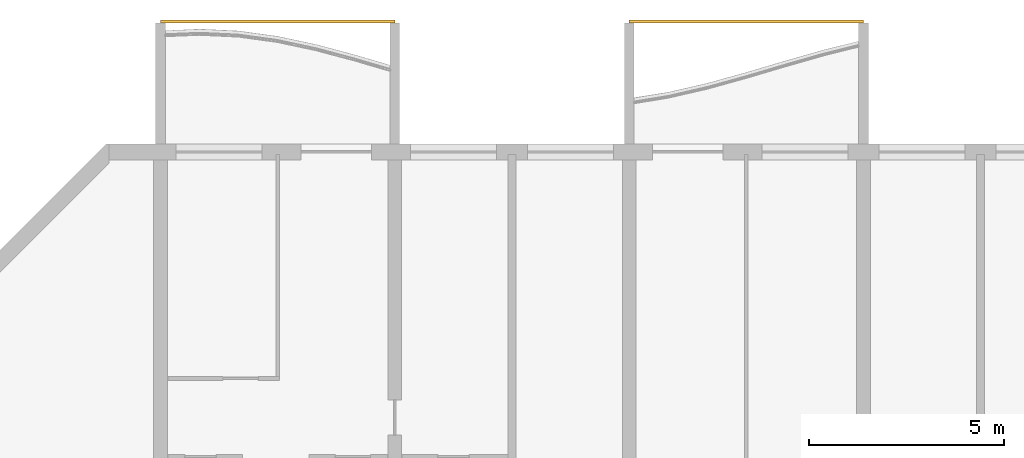
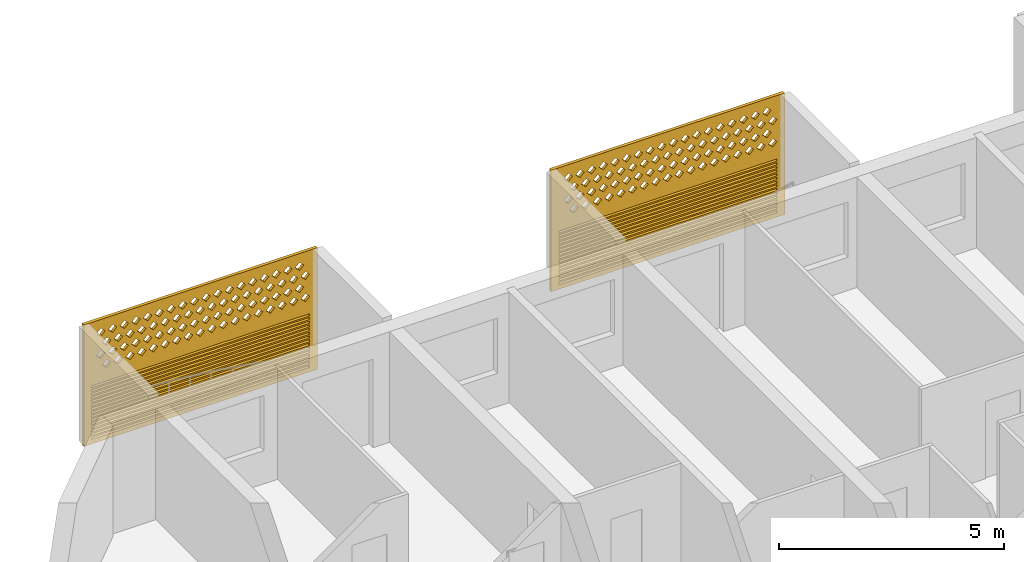
# One storey, part 18 of 24: 2 coverings.
"""IFC4 building model written with IfcOpenShell, lengths in metres."""

import ifcopenshell
import ifcopenshell.guid

model = None  # the IFC model being written
_history = None  # IfcOwnerHistory: only IFC2X3 demands one
_inside = {}  # id of a spatial element -> (the spatial element, [elements in it])
_under = {}  # id of a project, library or spatial element -> (it, [spatial elements below it])
_declared = {}  # id of a project -> (the project, [libraries it declares])
_typed = {}  # id of a type object -> (the type object, [elements of that type])
_made_of = {}  # id of a material, layer set ... -> (it, [elements and type objects made of it])


def new_model(schema):
    """Start an empty IFC model of exactly this schema.

    Asked for "IFC4X3", IfcOpenShell would pick the latest addendum, in which some entities
    have other attributes; the version numbers below select the first issue.
    IFC2X3 requires an IfcOwnerHistory on every rooted entity: one is made here for all.
    """
    global model, _history
    if schema == "IFC4X3":
        model = ifcopenshell.file(schema_version=(4, 3, 0, 0))
    else:
        model = ifcopenshell.file(schema=schema)
    _inside.clear()
    _under.clear()
    _declared.clear()
    _typed.clear()
    _made_of.clear()
    _history = None
    if model.schema == "IFC2X3":
        org = make("IfcOrganization", Name="unknown")
        user = make(
            "IfcPersonAndOrganization",
            ThePerson=make("IfcPerson", FamilyName="unknown"),
            TheOrganization=org,
        )
        app = make(
            "IfcApplication",
            ApplicationDeveloper=org,
            Version="unknown",
            ApplicationFullName="unknown",
            ApplicationIdentifier="unknown",
        )
        _history = make(
            "IfcOwnerHistory",
            OwningUser=user,
            OwningApplication=app,
            ChangeAction="ADDED",
            CreationDate=0,
        )
    return model


def make(cls, **values):
    """One entity of the class cls with the attributes given. An attribute that is None is left unset."""
    return model.create_entity(
        cls, **{name: value for name, value in values.items() if value is not None}
    )


def rooted(cls, **values):
    """An entity with a GlobalId (a new one), such as an element, a storey or a relation."""
    return make(cls, GlobalId=ifcopenshell.guid.new(), OwnerHistory=_history, **values)


def si_unit(unit_type, name, prefix=None):
    """IfcSIUnit, for example si_unit("LENGTHUNIT", "METRE", prefix="MILLI")."""
    return make("IfcSIUnit", UnitType=unit_type, Prefix=prefix, Name=name)


def assignment(units):
    """IfcUnitAssignment: the units of a project."""
    return None if units is None else make("IfcUnitAssignment", Units=units)


def point(xyz):
    """IfcCartesianPoint."""
    return None if xyz is None else make("IfcCartesianPoint", Coordinates=xyz)


def direction(xyz):
    """IfcDirection."""
    return None if xyz is None else make("IfcDirection", DirectionRatios=xyz)


def frame(location, z_axis=None, x_axis=None):
    """IfcAxis2Placement3D, a coordinate frame: its origin and axes. An axis left out is left unset."""
    return make(
        "IfcAxis2Placement3D",
        Location=point(location),
        Axis=direction(z_axis),
        RefDirection=direction(x_axis),
    )


def origin():
    """The frame at (0, 0, 0) with its axes left unset."""
    return frame((0.0, 0.0, 0.0))


def place(relative_to, where):
    """IfcLocalPlacement: puts the frame where relative to a parent placement (None: the world)."""
    return make(
        "IfcLocalPlacement", PlacementRelTo=relative_to, RelativePlacement=where
    )


def context(
    kind, dimensions, precision=None, world=None, true_north=None, identifier=None
):
    """IfcGeometricRepresentationContext, for example the 3D "Model" context."""
    return make(
        "IfcGeometricRepresentationContext",
        ContextIdentifier=identifier,
        ContextType=kind,
        CoordinateSpaceDimension=dimensions,
        Precision=precision,
        WorldCoordinateSystem=world,
        TrueNorth=true_north,
    )


def subcontext(parent, identifier, kind, view, scale=None):
    """IfcGeometricRepresentationSubContext, for example "Body" below "Model"."""
    return make(
        "IfcGeometricRepresentationSubContext",
        ContextIdentifier=identifier,
        ContextType=kind,
        ParentContext=parent,
        TargetScale=scale,
        TargetView=view,
    )


def project(units=None, contexts=None):
    """IfcProject with its units and contexts."""
    return rooted(
        "IfcProject",
        Name="project",
        RepresentationContexts=contexts,
        UnitsInContext=assignment(units),
    )


def spatial(cls, under=None, at=None, **own):
    """A site, building, storey or space (cls), placed at a placement, below another one or the project."""
    s = rooted(cls, ObjectPlacement=at, **own)
    if under is not None:
        _under.setdefault(under.id(), (under, []))[1].append(s)
    return s


def polyline(points):
    """IfcPolyline through the points."""
    return make("IfcPolyline", Points=[point(p) for p in points])


def outline(outer, holes=None, kind="AREA"):
    """IfcArbitraryClosedProfileDef: a profile drawn as a closed curve; with holes, ...WithVoids."""
    if holes is None:
        return make("IfcArbitraryClosedProfileDef", ProfileType=kind, OuterCurve=outer)
    return make(
        "IfcArbitraryProfileDefWithVoids",
        ProfileType=kind,
        OuterCurve=outer,
        InnerCurves=holes,
    )


def extrude(swept, where, along, depth):
    """IfcExtrudedAreaSolid: the profile swept, set in the frame where, extruded along a direction by depth."""
    return make(
        "IfcExtrudedAreaSolid",
        SweptArea=swept,
        Position=where,
        ExtrudedDirection=direction(along),
        Depth=depth,
    )


def shape(context_of_items, identifier, shape_type, items):
    """IfcShapeRepresentation: the items that make up one representation, for example the "Body"."""
    return make(
        "IfcShapeRepresentation",
        ContextOfItems=context_of_items,
        RepresentationIdentifier=identifier,
        RepresentationType=shape_type,
        Items=items,
    )


def source(mapping_origin, context_of_items, identifier, shape_type, items):
    """IfcRepresentationMap: a shape defined once, which mapped items show again and again."""
    return make(
        "IfcRepresentationMap",
        MappingOrigin=mapping_origin,
        MappedRepresentation=shape(context_of_items, identifier, shape_type, items),
    )


def transform(
    local_origin,
    x_axis=None,
    y_axis=None,
    z_axis=None,
    scale=None,
    scale2=None,
    scale3=None,
    uniform=True,
):
    """IfcCartesianTransformationOperator3D, or its non-uniform kind. x_axis, y_axis, z_axis: its Axis1, 2, 3."""
    if uniform:
        return make(
            "IfcCartesianTransformationOperator3D",
            Axis1=direction(x_axis),
            Axis2=direction(y_axis),
            LocalOrigin=point(local_origin),
            Scale=scale,
            Axis3=direction(z_axis),
        )
    return make(
        "IfcCartesianTransformationOperator3DnonUniform",
        Axis1=direction(x_axis),
        Axis2=direction(y_axis),
        LocalOrigin=point(local_origin),
        Scale=scale,
        Axis3=direction(z_axis),
        Scale2=scale2,
        Scale3=scale3,
    )


def mapped(mapping_source, mapping_target):
    """IfcMappedItem: shows the shape of a source again, moved by a transform."""
    return make(
        "IfcMappedItem", MappingSource=mapping_source, MappingTarget=mapping_target
    )


def material(Name=None, Category=None):
    """IfcMaterial."""
    return make("IfcMaterial", Name=Name, Category=Category)


def material_profile(
    of_material, cross_section, Name=None, Category=None, Priority=None
):
    """IfcMaterialProfile: a cross section and its material."""
    return make(
        "IfcMaterialProfile",
        Name=Name,
        Material=of_material,
        Profile=cross_section,
        Priority=Priority,
        Category=Category,
    )


def profile_set(profiles, Name=None, composite=None):
    """IfcMaterialProfileSet."""
    return make(
        "IfcMaterialProfileSet",
        Name=Name,
        MaterialProfiles=profiles,
        CompositeProfile=composite,
    )


def made_of(thing, what):
    """Note that an element or type object is made of a material, layer set ...; save() writes the relation."""
    if what is not None:
        _made_of.setdefault(what.id(), (what, []))[1].append(thing)
    return thing


def type_object(cls, material=None, **own):
    """A type object (cls), such as IfcWallType, which elements share."""
    return made_of(rooted(cls, **own), material)


def element(
    cls,
    number,
    at=None,
    inside=None,
    cuts=None,
    type_object=None,
    material=None,
    context=None,
    identifier="Body",
    shape_type=None,
    held_by="IfcProductDefinitionShape",
    body=None,
    shapes=None,
    **own,
):
    """One element of the class cls, such as IfcWall. Its Tag is "e" and its number.

    at: its placement. inside: the storey or other place that contains it. cuts: it is an
    opening in that element (IfcRelVoidsElement). A single representation is given by context,
    identifier, shape_type and body (its items); several are given by shapes. held_by: the class
    of the entity that holds the representations. save() writes the other relations.
    """
    e = rooted(cls, Tag="e%d" % number, ObjectPlacement=at, **own)
    if body is not None:
        shapes = [shape(context, identifier, shape_type, body)]
    if shapes is not None:
        e.Representation = make(held_by, Representations=shapes)
    if inside is not None:
        _inside.setdefault(inside.id(), (inside, []))[1].append(e)
    if cuts is not None:
        rooted(
            "IfcRelVoidsElement", RelatingBuildingElement=cuts, RelatedOpeningElement=e
        )
    if type_object is not None:
        _typed.setdefault(type_object.id(), (type_object, []))[1].append(e)
    return made_of(e, material)


def aggregate(whole, parts):
    """IfcRelAggregates: a whole, such as a stair, and the parts it consists of."""
    return rooted("IfcRelAggregates", RelatingObject=whole, RelatedObjects=parts)


def save(model, path):
    """Write the relations noted so far, then the file.

    IfcRelAggregates (storeys below a building ...), IfcRelContainedInSpatialStructure (elements
    in a storey), IfcRelDefinesByType, IfcRelAssociatesMaterial and IfcRelDeclares: one each for
    every whole, place, type object, material and project.
    """
    for whole, parts in _under.values():
        aggregate(whole, parts)
    for where, things in _inside.values():
        rooted(
            "IfcRelContainedInSpatialStructure",
            RelatedElements=things,
            RelatingStructure=where,
        )
    for kind, things in _typed.values():
        rooted("IfcRelDefinesByType", RelatedObjects=things, RelatingType=kind)
    for what, things in _made_of.values():
        rooted("IfcRelAssociatesMaterial", RelatedObjects=things, RelatingMaterial=what)
    for by, libraries in _declared.values():
        rooted("IfcRelDeclares", RelatingContext=by, RelatedDefinitions=libraries)
    model.write(path)


model = new_model("IFC4")

# Units and contexts
model_context = context("Model", 3, precision=1e-05, world=origin(), true_north=direction((0.0, 1.0)))
body_context = subcontext(model_context, "Body", "Model", "MODEL_VIEW")
ifc_project = project(units=[si_unit("LENGTHUNIT", "METRE"), si_unit("AREAUNIT", "SQUARE_METRE"), si_unit("VOLUMEUNIT", "CUBIC_METRE"), si_unit("PLANEANGLEUNIT", "RADIAN"), si_unit("MASSUNIT", "GRAM", prefix="KILO")], contexts=[model_context])

# Site, building, storey
site_placement = place(None, origin())
site = spatial("IfcSite", under=ifc_project, at=site_placement, CompositionType="ELEMENT")
building_placement = place(site_placement, origin())
building = spatial("IfcBuilding", under=site, at=building_placement, Name="Poui Terraces", CompositionType="ELEMENT")
storey_placement = place(building_placement, frame((0.0, 0.0, 102.60009765625)))
storey = spatial("IfcBuildingStorey", under=building, at=storey_placement, Name="L28", CompositionType="ELEMENT", Elevation=102.60009765625)

# Coverings
ifc_material = material(Name="Terracotta screen", Category="masonry")
ifc_material_profile = material_profile(ifc_material, outline(polyline([(-3.0, -1.64990234375), (3.0, -1.64990234375), (3.0, 1.64990234375), (-3.0, 1.64990234375), (-3.0, -1.64990234375)]), holes=[polyline([(-2.800048828125, 0.39990234375), (-2.68994140625, 0.2900390625), (-2.580078125, 0.39990234375), (-2.68994140625, 0.510009765625), (-2.800048828125, 0.39990234375)]), polyline([(-2.5, 0.39990234375), (-2.389892578125, 0.2900390625), (-2.280029296875, 0.39990234375), (-2.389892578125, 0.510009765625), (-2.5, 0.39990234375)]), polyline([(-2.199951171875, 0.39990234375), (-2.090087890625, 0.2900390625), (-1.97998046875, 0.39990234375), (-2.090087890625, 0.510009765625), (-2.199951171875, 0.39990234375)]), polyline([(-1.89990234375, 0.39990234375), (-1.7900390625, 0.2900390625), (-1.679931640625, 0.39990234375), (-1.7900390625, 0.510009765625), (-1.89990234375, 0.39990234375)]), polyline([(-1.60009765625, 0.39990234375), (-1.489990234375, 0.2900390625), (-1.3798828125, 0.39990234375), (-1.489990234375, 0.510009765625), (-1.60009765625, 0.39990234375)]), polyline([(-1.300048828125, 0.39990234375), (-1.18994140625, 0.2900390625), (-1.080078125, 0.39990234375), (-1.18994140625, 0.510009765625), (-1.300048828125, 0.39990234375)]), polyline([(-1.0, 0.39990234375), (-0.889892578125, 0.2900390625), (-0.780029296875, 0.39990234375), (-0.889892578125, 0.510009765625), (-1.0, 0.39990234375)]), polyline([(-0.699951171875, 0.39990234375), (-0.590087890625, 0.2900390625), (-0.47998046875, 0.39990234375), (-0.590087890625, 0.510009765625), (-0.699951171875, 0.39990234375)]), polyline([(-0.39990234375, 0.39990234375), (-0.2900390625, 0.2900390625), (-0.179931640625, 0.39990234375), (-0.2900390625, 0.510009765625), (-0.39990234375, 0.39990234375)]), polyline([(-0.10009765625, 0.39990234375), (0.010009765625, 0.2900390625), (0.1201171875, 0.39990234375), (0.010009765625, 0.510009765625), (-0.10009765625, 0.39990234375)]), polyline([(0.199951171875, 0.39990234375), (0.31005859375, 0.2900390625), (0.419921875, 0.39990234375), (0.31005859375, 0.510009765625), (0.199951171875, 0.39990234375)]), polyline([(0.5, 0.39990234375), (0.610107421875, 0.2900390625), (0.719970703125, 0.39990234375), (0.610107421875, 0.510009765625), (0.5, 0.39990234375)]), polyline([(0.800048828125, 0.39990234375), (0.909912109375, 0.2900390625), (1.02001953125, 0.39990234375), (0.909912109375, 0.510009765625), (0.800048828125, 0.39990234375)]), polyline([(1.10009765625, 0.39990234375), (1.2099609375, 0.2900390625), (1.320068359375, 0.39990234375), (1.2099609375, 0.510009765625), (1.10009765625, 0.39990234375)]), polyline([(1.39990234375, 0.39990234375), (1.510009765625, 0.2900390625), (1.6201171875, 0.39990234375), (1.510009765625, 0.510009765625), (1.39990234375, 0.39990234375)]), polyline([(1.699951171875, 0.39990234375), (1.81005859375, 0.2900390625), (1.919921875, 0.39990234375), (1.81005859375, 0.510009765625), (1.699951171875, 0.39990234375)]), polyline([(2.0, 0.39990234375), (2.110107421875, 0.2900390625), (2.219970703125, 0.39990234375), (2.110107421875, 0.510009765625), (2.0, 0.39990234375)]), polyline([(2.300048828125, 0.39990234375), (2.409912109375, 0.2900390625), (2.52001953125, 0.39990234375), (2.409912109375, 0.510009765625), (2.300048828125, 0.39990234375)]), polyline([(-2.64990234375, 0.699951171875), (-2.5400390625, 0.590087890625), (-2.429931640625, 0.699951171875), (-2.5400390625, 0.81005859375), (-2.64990234375, 0.699951171875)]), polyline([(-2.35009765625, 0.699951171875), (-2.239990234375, 0.590087890625), (-2.1298828125, 0.699951171875), (-2.239990234375, 0.81005859375), (-2.35009765625, 0.699951171875)]), polyline([(-2.050048828125, 0.699951171875), (-1.93994140625, 0.590087890625), (-1.830078125, 0.699951171875), (-1.93994140625, 0.81005859375), (-2.050048828125, 0.699951171875)]), polyline([(-1.75, 0.699951171875), (-1.639892578125, 0.590087890625), (-1.530029296875, 0.699951171875), (-1.639892578125, 0.81005859375), (-1.75, 0.699951171875)]), polyline([(-1.449951171875, 0.699951171875), (-1.340087890625, 0.590087890625), (-1.22998046875, 0.699951171875), (-1.340087890625, 0.81005859375), (-1.449951171875, 0.699951171875)]), polyline([(-1.14990234375, 0.699951171875), (-1.0400390625, 0.590087890625), (-0.929931640625, 0.699951171875), (-1.0400390625, 0.81005859375), (-1.14990234375, 0.699951171875)]), polyline([(-0.85009765625, 0.699951171875), (-0.739990234375, 0.590087890625), (-0.6298828125, 0.699951171875), (-0.739990234375, 0.81005859375), (-0.85009765625, 0.699951171875)]), polyline([(-0.550048828125, 0.699951171875), (-0.43994140625, 0.590087890625), (-0.330078125, 0.699951171875), (-0.43994140625, 0.81005859375), (-0.550048828125, 0.699951171875)]), polyline([(-0.25, 0.699951171875), (-0.139892578125, 0.590087890625), (-0.030029296875, 0.699951171875), (-0.139892578125, 0.81005859375), (-0.25, 0.699951171875)]), polyline([(0.050048828125, 0.699951171875), (0.159912109375, 0.590087890625), (0.27001953125, 0.699951171875), (0.159912109375, 0.81005859375), (0.050048828125, 0.699951171875)]), polyline([(0.35009765625, 0.699951171875), (0.4599609375, 0.590087890625), (0.570068359375, 0.699951171875), (0.4599609375, 0.81005859375), (0.35009765625, 0.699951171875)]), polyline([(0.64990234375, 0.699951171875), (0.760009765625, 0.590087890625), (0.8701171875, 0.699951171875), (0.760009765625, 0.81005859375), (0.64990234375, 0.699951171875)]), polyline([(0.949951171875, 0.699951171875), (1.06005859375, 0.590087890625), (1.169921875, 0.699951171875), (1.06005859375, 0.81005859375), (0.949951171875, 0.699951171875)]), polyline([(1.25, 0.699951171875), (1.360107421875, 0.590087890625), (1.469970703125, 0.699951171875), (1.360107421875, 0.81005859375), (1.25, 0.699951171875)]), polyline([(1.550048828125, 0.699951171875), (1.659912109375, 0.590087890625), (1.77001953125, 0.699951171875), (1.659912109375, 0.81005859375), (1.550048828125, 0.699951171875)]), polyline([(1.85009765625, 0.699951171875), (1.9599609375, 0.590087890625), (2.070068359375, 0.699951171875), (1.9599609375, 0.81005859375), (1.85009765625, 0.699951171875)]), polyline([(2.14990234375, 0.699951171875), (2.260009765625, 0.590087890625), (2.3701171875, 0.699951171875), (2.260009765625, 0.81005859375), (2.14990234375, 0.699951171875)]), polyline([(2.449951171875, 0.699951171875), (2.56005859375, 0.590087890625), (2.669921875, 0.699951171875), (2.56005859375, 0.81005859375), (2.449951171875, 0.699951171875)]), polyline([(-2.800048828125, 1.0), (-2.68994140625, 0.889892578125), (-2.580078125, 1.0), (-2.68994140625, 1.110107421875), (-2.800048828125, 1.0)]), polyline([(-2.5, 1.0), (-2.389892578125, 0.889892578125), (-2.280029296875, 1.0), (-2.389892578125, 1.110107421875), (-2.5, 1.0)]), polyline([(-2.199951171875, 1.0), (-2.090087890625, 0.889892578125), (-1.97998046875, 1.0), (-2.090087890625, 1.110107421875), (-2.199951171875, 1.0)]), polyline([(-1.89990234375, 1.0), (-1.7900390625, 0.889892578125), (-1.679931640625, 1.0), (-1.7900390625, 1.110107421875), (-1.89990234375, 1.0)]), polyline([(-1.60009765625, 1.0), (-1.489990234375, 0.889892578125), (-1.3798828125, 1.0), (-1.489990234375, 1.110107421875), (-1.60009765625, 1.0)]), polyline([(-1.300048828125, 1.0), (-1.18994140625, 0.889892578125), (-1.080078125, 1.0), (-1.18994140625, 1.110107421875), (-1.300048828125, 1.0)]), polyline([(-1.0, 1.0), (-0.889892578125, 0.889892578125), (-0.780029296875, 1.0), (-0.889892578125, 1.110107421875), (-1.0, 1.0)]), polyline([(-0.699951171875, 1.0), (-0.590087890625, 0.889892578125), (-0.47998046875, 1.0), (-0.590087890625, 1.110107421875), (-0.699951171875, 1.0)]), polyline([(-0.39990234375, 1.0), (-0.2900390625, 0.889892578125), (-0.179931640625, 1.0), (-0.2900390625, 1.110107421875), (-0.39990234375, 1.0)]), polyline([(-0.10009765625, 1.0), (0.010009765625, 0.889892578125), (0.1201171875, 1.0), (0.010009765625, 1.110107421875), (-0.10009765625, 1.0)]), polyline([(0.199951171875, 1.0), (0.31005859375, 0.889892578125), (0.419921875, 1.0), (0.31005859375, 1.110107421875), (0.199951171875, 1.0)]), polyline([(0.5, 1.0), (0.610107421875, 0.889892578125), (0.719970703125, 1.0), (0.610107421875, 1.110107421875), (0.5, 1.0)]), polyline([(0.800048828125, 1.0), (0.909912109375, 0.889892578125), (1.02001953125, 1.0), (0.909912109375, 1.110107421875), (0.800048828125, 1.0)]), polyline([(1.10009765625, 1.0), (1.2099609375, 0.889892578125), (1.320068359375, 1.0), (1.2099609375, 1.110107421875), (1.10009765625, 1.0)]), polyline([(1.39990234375, 1.0), (1.510009765625, 0.889892578125), (1.6201171875, 1.0), (1.510009765625, 1.110107421875), (1.39990234375, 1.0)]), polyline([(1.699951171875, 1.0), (1.81005859375, 0.889892578125), (1.919921875, 1.0), (1.81005859375, 1.110107421875), (1.699951171875, 1.0)]), polyline([(2.0, 1.0), (2.110107421875, 0.889892578125), (2.219970703125, 1.0), (2.110107421875, 1.110107421875), (2.0, 1.0)]), polyline([(2.300048828125, 1.0), (2.409912109375, 0.889892578125), (2.52001953125, 1.0), (2.409912109375, 1.110107421875), (2.300048828125, 1.0)]), polyline([(-2.64990234375, 1.300048828125), (-2.5400390625, 1.18994140625), (-2.429931640625, 1.300048828125), (-2.5400390625, 1.409912109375), (-2.64990234375, 1.300048828125)]), polyline([(-2.35009765625, 1.300048828125), (-2.239990234375, 1.18994140625), (-2.1298828125, 1.300048828125), (-2.239990234375, 1.409912109375), (-2.35009765625, 1.300048828125)]), polyline([(-2.050048828125, 1.300048828125), (-1.93994140625, 1.18994140625), (-1.830078125, 1.300048828125), (-1.93994140625, 1.409912109375), (-2.050048828125, 1.300048828125)]), polyline([(-1.75, 1.300048828125), (-1.639892578125, 1.18994140625), (-1.530029296875, 1.300048828125), (-1.639892578125, 1.409912109375), (-1.75, 1.300048828125)]), polyline([(-1.449951171875, 1.300048828125), (-1.340087890625, 1.18994140625), (-1.22998046875, 1.300048828125), (-1.340087890625, 1.409912109375), (-1.449951171875, 1.300048828125)]), polyline([(-1.14990234375, 1.300048828125), (-1.0400390625, 1.18994140625), (-0.929931640625, 1.300048828125), (-1.0400390625, 1.409912109375), (-1.14990234375, 1.300048828125)]), polyline([(-0.85009765625, 1.300048828125), (-0.739990234375, 1.18994140625), (-0.6298828125, 1.300048828125), (-0.739990234375, 1.409912109375), (-0.85009765625, 1.300048828125)]), polyline([(-0.550048828125, 1.300048828125), (-0.43994140625, 1.18994140625), (-0.330078125, 1.300048828125), (-0.43994140625, 1.409912109375), (-0.550048828125, 1.300048828125)]), polyline([(-0.25, 1.300048828125), (-0.139892578125, 1.18994140625), (-0.030029296875, 1.300048828125), (-0.139892578125, 1.409912109375), (-0.25, 1.300048828125)]), polyline([(0.050048828125, 1.300048828125), (0.159912109375, 1.18994140625), (0.27001953125, 1.300048828125), (0.159912109375, 1.409912109375), (0.050048828125, 1.300048828125)]), polyline([(0.35009765625, 1.300048828125), (0.4599609375, 1.18994140625), (0.570068359375, 1.300048828125), (0.4599609375, 1.409912109375), (0.35009765625, 1.300048828125)]), polyline([(0.64990234375, 1.300048828125), (0.760009765625, 1.18994140625), (0.8701171875, 1.300048828125), (0.760009765625, 1.409912109375), (0.64990234375, 1.300048828125)]), polyline([(0.949951171875, 1.300048828125), (1.06005859375, 1.18994140625), (1.169921875, 1.300048828125), (1.06005859375, 1.409912109375), (0.949951171875, 1.300048828125)]), polyline([(1.25, 1.300048828125), (1.360107421875, 1.18994140625), (1.469970703125, 1.300048828125), (1.360107421875, 1.409912109375), (1.25, 1.300048828125)]), polyline([(1.550048828125, 1.300048828125), (1.659912109375, 1.18994140625), (1.77001953125, 1.300048828125), (1.659912109375, 1.409912109375), (1.550048828125, 1.300048828125)]), polyline([(1.85009765625, 1.300048828125), (1.9599609375, 1.18994140625), (2.070068359375, 1.300048828125), (1.9599609375, 1.409912109375), (1.85009765625, 1.300048828125)]), polyline([(2.14990234375, 1.300048828125), (2.260009765625, 1.18994140625), (2.3701171875, 1.300048828125), (2.260009765625, 1.409912109375), (2.14990234375, 1.300048828125)]), polyline([(2.449951171875, 1.300048828125), (2.56005859375, 1.18994140625), (2.669921875, 1.300048828125), (2.56005859375, 1.409912109375), (2.449951171875, 1.300048828125)]), polyline([(-2.800048828125, -1.530029296875), (2.800048828125, -1.530029296875), (2.800048828125, -1.469970703125), (-2.800048828125, -1.469970703125), (-2.800048828125, -1.530029296875)]), polyline([(-2.800048828125, -1.429931640625), (2.800048828125, -1.429931640625), (2.800048828125, -1.3701171875), (-2.800048828125, -1.3701171875), (-2.800048828125, -1.429931640625)]), polyline([(-2.800048828125, -1.330078125), (2.800048828125, -1.330078125), (2.800048828125, -1.27001953125), (-2.800048828125, -1.27001953125), (-2.800048828125, -1.330078125)]), polyline([(-2.800048828125, -1.22998046875), (2.800048828125, -1.22998046875), (2.800048828125, -1.169921875), (-2.800048828125, -1.169921875), (-2.800048828125, -1.22998046875)]), polyline([(-2.800048828125, -1.1298828125), (2.800048828125, -1.1298828125), (2.800048828125, -1.070068359375), (-2.800048828125, -1.070068359375), (-2.800048828125, -1.1298828125)]), polyline([(-2.800048828125, -1.030029296875), (2.800048828125, -1.030029296875), (2.800048828125, -0.969970703125), (-2.800048828125, -0.969970703125), (-2.800048828125, -1.030029296875)]), polyline([(-2.800048828125, -0.929931640625), (2.800048828125, -0.929931640625), (2.800048828125, -0.8701171875), (-2.800048828125, -0.8701171875), (-2.800048828125, -0.929931640625)]), polyline([(-2.800048828125, -0.830078125), (2.800048828125, -0.830078125), (2.800048828125, -0.77001953125), (-2.800048828125, -0.77001953125), (-2.800048828125, -0.830078125)]), polyline([(-2.800048828125, -0.72998046875), (2.800048828125, -0.72998046875), (2.800048828125, -0.669921875), (-2.800048828125, -0.669921875), (-2.800048828125, -0.72998046875)]), polyline([(-2.800048828125, -0.6298828125), (2.800048828125, -0.6298828125), (2.800048828125, -0.570068359375), (-2.800048828125, -0.570068359375), (-2.800048828125, -0.6298828125)]), polyline([(-2.800048828125, -0.530029296875), (2.800048828125, -0.530029296875), (2.800048828125, -0.469970703125), (-2.800048828125, -0.469970703125), (-2.800048828125, -0.530029296875)]), polyline([(-2.800048828125, -0.429931640625), (2.800048828125, -0.429931640625), (2.800048828125, -0.3701171875), (-2.800048828125, -0.3701171875), (-2.800048828125, -0.429931640625)]), polyline([(-2.800048828125, -0.330078125), (2.800048828125, -0.330078125), (2.800048828125, -0.27001953125), (-2.800048828125, -0.27001953125), (-2.800048828125, -0.330078125)]), polyline([(-2.800048828125, -0.22998046875), (2.800048828125, -0.22998046875), (2.800048828125, -0.169921875), (-2.800048828125, -0.169921875), (-2.800048828125, -0.22998046875)]), polyline([(-2.800048828125, -0.1298828125), (2.800048828125, -0.1298828125), (2.800048828125, -0.070068359375), (-2.800048828125, -0.070068359375), (-2.800048828125, -0.1298828125)])]), Name="TERRACOTTA SCREEN AND JALOUSIE LOUVRE 6000X3300")
ifc_profile_set = profile_set([ifc_material_profile], Name="Terracotta screen")
covering_type = type_object("IfcCoveringType", Name="TERRACOTTA SCREEN AND JALOUSIE LOUVRE 6000X3300", PredefinedType="CLADDING", material=ifc_profile_set)
shared_shape = source(origin(), body_context, "Body", "SweptSolid", [
    extrude(outline(polyline([(-3.0, -1.64990234375), (3.0, -1.64990234375), (3.0, 1.64990234375), (-3.0, 1.64990234375), (-3.0, -1.64990234375)]), holes=[polyline([(-2.800048828125, 0.39990234375), (-2.68994140625, 0.2900390625), (-2.580078125, 0.39990234375), (-2.68994140625, 0.510009765625), (-2.800048828125, 0.39990234375)]), polyline([(-2.5, 0.39990234375), (-2.389892578125, 0.2900390625), (-2.280029296875, 0.39990234375), (-2.389892578125, 0.510009765625), (-2.5, 0.39990234375)]), polyline([(-2.199951171875, 0.39990234375), (-2.090087890625, 0.2900390625), (-1.97998046875, 0.39990234375), (-2.090087890625, 0.510009765625), (-2.199951171875, 0.39990234375)]), polyline([(-1.89990234375, 0.39990234375), (-1.7900390625, 0.2900390625), (-1.679931640625, 0.39990234375), (-1.7900390625, 0.510009765625), (-1.89990234375, 0.39990234375)]), polyline([(-1.60009765625, 0.39990234375), (-1.489990234375, 0.2900390625), (-1.3798828125, 0.39990234375), (-1.489990234375, 0.510009765625), (-1.60009765625, 0.39990234375)]), polyline([(-1.300048828125, 0.39990234375), (-1.18994140625, 0.2900390625), (-1.080078125, 0.39990234375), (-1.18994140625, 0.510009765625), (-1.300048828125, 0.39990234375)]), polyline([(-1.0, 0.39990234375), (-0.889892578125, 0.2900390625), (-0.780029296875, 0.39990234375), (-0.889892578125, 0.510009765625), (-1.0, 0.39990234375)]), polyline([(-0.699951171875, 0.39990234375), (-0.590087890625, 0.2900390625), (-0.47998046875, 0.39990234375), (-0.590087890625, 0.510009765625), (-0.699951171875, 0.39990234375)]), polyline([(-0.39990234375, 0.39990234375), (-0.2900390625, 0.2900390625), (-0.179931640625, 0.39990234375), (-0.2900390625, 0.510009765625), (-0.39990234375, 0.39990234375)]), polyline([(-0.10009765625, 0.39990234375), (0.010009765625, 0.2900390625), (0.1201171875, 0.39990234375), (0.010009765625, 0.510009765625), (-0.10009765625, 0.39990234375)]), polyline([(0.199951171875, 0.39990234375), (0.31005859375, 0.2900390625), (0.419921875, 0.39990234375), (0.31005859375, 0.510009765625), (0.199951171875, 0.39990234375)]), polyline([(0.5, 0.39990234375), (0.610107421875, 0.2900390625), (0.719970703125, 0.39990234375), (0.610107421875, 0.510009765625), (0.5, 0.39990234375)]), polyline([(0.800048828125, 0.39990234375), (0.909912109375, 0.2900390625), (1.02001953125, 0.39990234375), (0.909912109375, 0.510009765625), (0.800048828125, 0.39990234375)]), polyline([(1.10009765625, 0.39990234375), (1.2099609375, 0.2900390625), (1.320068359375, 0.39990234375), (1.2099609375, 0.510009765625), (1.10009765625, 0.39990234375)]), polyline([(1.39990234375, 0.39990234375), (1.510009765625, 0.2900390625), (1.6201171875, 0.39990234375), (1.510009765625, 0.510009765625), (1.39990234375, 0.39990234375)]), polyline([(1.699951171875, 0.39990234375), (1.81005859375, 0.2900390625), (1.919921875, 0.39990234375), (1.81005859375, 0.510009765625), (1.699951171875, 0.39990234375)]), polyline([(2.0, 0.39990234375), (2.110107421875, 0.2900390625), (2.219970703125, 0.39990234375), (2.110107421875, 0.510009765625), (2.0, 0.39990234375)]), polyline([(2.300048828125, 0.39990234375), (2.409912109375, 0.2900390625), (2.52001953125, 0.39990234375), (2.409912109375, 0.510009765625), (2.300048828125, 0.39990234375)]), polyline([(-2.64990234375, 0.699951171875), (-2.5400390625, 0.590087890625), (-2.429931640625, 0.699951171875), (-2.5400390625, 0.81005859375), (-2.64990234375, 0.699951171875)]), polyline([(-2.35009765625, 0.699951171875), (-2.239990234375, 0.590087890625), (-2.1298828125, 0.699951171875), (-2.239990234375, 0.81005859375), (-2.35009765625, 0.699951171875)]), polyline([(-2.050048828125, 0.699951171875), (-1.93994140625, 0.590087890625), (-1.830078125, 0.699951171875), (-1.93994140625, 0.81005859375), (-2.050048828125, 0.699951171875)]), polyline([(-1.75, 0.699951171875), (-1.639892578125, 0.590087890625), (-1.530029296875, 0.699951171875), (-1.639892578125, 0.81005859375), (-1.75, 0.699951171875)]), polyline([(-1.449951171875, 0.699951171875), (-1.340087890625, 0.590087890625), (-1.22998046875, 0.699951171875), (-1.340087890625, 0.81005859375), (-1.449951171875, 0.699951171875)]), polyline([(-1.14990234375, 0.699951171875), (-1.0400390625, 0.590087890625), (-0.929931640625, 0.699951171875), (-1.0400390625, 0.81005859375), (-1.14990234375, 0.699951171875)]), polyline([(-0.85009765625, 0.699951171875), (-0.739990234375, 0.590087890625), (-0.6298828125, 0.699951171875), (-0.739990234375, 0.81005859375), (-0.85009765625, 0.699951171875)]), polyline([(-0.550048828125, 0.699951171875), (-0.43994140625, 0.590087890625), (-0.330078125, 0.699951171875), (-0.43994140625, 0.81005859375), (-0.550048828125, 0.699951171875)]), polyline([(-0.25, 0.699951171875), (-0.139892578125, 0.590087890625), (-0.030029296875, 0.699951171875), (-0.139892578125, 0.81005859375), (-0.25, 0.699951171875)]), polyline([(0.050048828125, 0.699951171875), (0.159912109375, 0.590087890625), (0.27001953125, 0.699951171875), (0.159912109375, 0.81005859375), (0.050048828125, 0.699951171875)]), polyline([(0.35009765625, 0.699951171875), (0.4599609375, 0.590087890625), (0.570068359375, 0.699951171875), (0.4599609375, 0.81005859375), (0.35009765625, 0.699951171875)]), polyline([(0.64990234375, 0.699951171875), (0.760009765625, 0.590087890625), (0.8701171875, 0.699951171875), (0.760009765625, 0.81005859375), (0.64990234375, 0.699951171875)]), polyline([(0.949951171875, 0.699951171875), (1.06005859375, 0.590087890625), (1.169921875, 0.699951171875), (1.06005859375, 0.81005859375), (0.949951171875, 0.699951171875)]), polyline([(1.25, 0.699951171875), (1.360107421875, 0.590087890625), (1.469970703125, 0.699951171875), (1.360107421875, 0.81005859375), (1.25, 0.699951171875)]), polyline([(1.550048828125, 0.699951171875), (1.659912109375, 0.590087890625), (1.77001953125, 0.699951171875), (1.659912109375, 0.81005859375), (1.550048828125, 0.699951171875)]), polyline([(1.85009765625, 0.699951171875), (1.9599609375, 0.590087890625), (2.070068359375, 0.699951171875), (1.9599609375, 0.81005859375), (1.85009765625, 0.699951171875)]), polyline([(2.14990234375, 0.699951171875), (2.260009765625, 0.590087890625), (2.3701171875, 0.699951171875), (2.260009765625, 0.81005859375), (2.14990234375, 0.699951171875)]), polyline([(2.449951171875, 0.699951171875), (2.56005859375, 0.590087890625), (2.669921875, 0.699951171875), (2.56005859375, 0.81005859375), (2.449951171875, 0.699951171875)]), polyline([(-2.800048828125, 1.0), (-2.68994140625, 0.889892578125), (-2.580078125, 1.0), (-2.68994140625, 1.110107421875), (-2.800048828125, 1.0)]), polyline([(-2.5, 1.0), (-2.389892578125, 0.889892578125), (-2.280029296875, 1.0), (-2.389892578125, 1.110107421875), (-2.5, 1.0)]), polyline([(-2.199951171875, 1.0), (-2.090087890625, 0.889892578125), (-1.97998046875, 1.0), (-2.090087890625, 1.110107421875), (-2.199951171875, 1.0)]), polyline([(-1.89990234375, 1.0), (-1.7900390625, 0.889892578125), (-1.679931640625, 1.0), (-1.7900390625, 1.110107421875), (-1.89990234375, 1.0)]), polyline([(-1.60009765625, 1.0), (-1.489990234375, 0.889892578125), (-1.3798828125, 1.0), (-1.489990234375, 1.110107421875), (-1.60009765625, 1.0)]), polyline([(-1.300048828125, 1.0), (-1.18994140625, 0.889892578125), (-1.080078125, 1.0), (-1.18994140625, 1.110107421875), (-1.300048828125, 1.0)]), polyline([(-1.0, 1.0), (-0.889892578125, 0.889892578125), (-0.780029296875, 1.0), (-0.889892578125, 1.110107421875), (-1.0, 1.0)]), polyline([(-0.699951171875, 1.0), (-0.590087890625, 0.889892578125), (-0.47998046875, 1.0), (-0.590087890625, 1.110107421875), (-0.699951171875, 1.0)]), polyline([(-0.39990234375, 1.0), (-0.2900390625, 0.889892578125), (-0.179931640625, 1.0), (-0.2900390625, 1.110107421875), (-0.39990234375, 1.0)]), polyline([(-0.10009765625, 1.0), (0.010009765625, 0.889892578125), (0.1201171875, 1.0), (0.010009765625, 1.110107421875), (-0.10009765625, 1.0)]), polyline([(0.199951171875, 1.0), (0.31005859375, 0.889892578125), (0.419921875, 1.0), (0.31005859375, 1.110107421875), (0.199951171875, 1.0)]), polyline([(0.5, 1.0), (0.610107421875, 0.889892578125), (0.719970703125, 1.0), (0.610107421875, 1.110107421875), (0.5, 1.0)]), polyline([(0.800048828125, 1.0), (0.909912109375, 0.889892578125), (1.02001953125, 1.0), (0.909912109375, 1.110107421875), (0.800048828125, 1.0)]), polyline([(1.10009765625, 1.0), (1.2099609375, 0.889892578125), (1.320068359375, 1.0), (1.2099609375, 1.110107421875), (1.10009765625, 1.0)]), polyline([(1.39990234375, 1.0), (1.510009765625, 0.889892578125), (1.6201171875, 1.0), (1.510009765625, 1.110107421875), (1.39990234375, 1.0)]), polyline([(1.699951171875, 1.0), (1.81005859375, 0.889892578125), (1.919921875, 1.0), (1.81005859375, 1.110107421875), (1.699951171875, 1.0)]), polyline([(2.0, 1.0), (2.110107421875, 0.889892578125), (2.219970703125, 1.0), (2.110107421875, 1.110107421875), (2.0, 1.0)]), polyline([(2.300048828125, 1.0), (2.409912109375, 0.889892578125), (2.52001953125, 1.0), (2.409912109375, 1.110107421875), (2.300048828125, 1.0)]), polyline([(-2.64990234375, 1.300048828125), (-2.5400390625, 1.18994140625), (-2.429931640625, 1.300048828125), (-2.5400390625, 1.409912109375), (-2.64990234375, 1.300048828125)]), polyline([(-2.35009765625, 1.300048828125), (-2.239990234375, 1.18994140625), (-2.1298828125, 1.300048828125), (-2.239990234375, 1.409912109375), (-2.35009765625, 1.300048828125)]), polyline([(-2.050048828125, 1.300048828125), (-1.93994140625, 1.18994140625), (-1.830078125, 1.300048828125), (-1.93994140625, 1.409912109375), (-2.050048828125, 1.300048828125)]), polyline([(-1.75, 1.300048828125), (-1.639892578125, 1.18994140625), (-1.530029296875, 1.300048828125), (-1.639892578125, 1.409912109375), (-1.75, 1.300048828125)]), polyline([(-1.449951171875, 1.300048828125), (-1.340087890625, 1.18994140625), (-1.22998046875, 1.300048828125), (-1.340087890625, 1.409912109375), (-1.449951171875, 1.300048828125)]), polyline([(-1.14990234375, 1.300048828125), (-1.0400390625, 1.18994140625), (-0.929931640625, 1.300048828125), (-1.0400390625, 1.409912109375), (-1.14990234375, 1.300048828125)]), polyline([(-0.85009765625, 1.300048828125), (-0.739990234375, 1.18994140625), (-0.6298828125, 1.300048828125), (-0.739990234375, 1.409912109375), (-0.85009765625, 1.300048828125)]), polyline([(-0.550048828125, 1.300048828125), (-0.43994140625, 1.18994140625), (-0.330078125, 1.300048828125), (-0.43994140625, 1.409912109375), (-0.550048828125, 1.300048828125)]), polyline([(-0.25, 1.300048828125), (-0.139892578125, 1.18994140625), (-0.030029296875, 1.300048828125), (-0.139892578125, 1.409912109375), (-0.25, 1.300048828125)]), polyline([(0.050048828125, 1.300048828125), (0.159912109375, 1.18994140625), (0.27001953125, 1.300048828125), (0.159912109375, 1.409912109375), (0.050048828125, 1.300048828125)]), polyline([(0.35009765625, 1.300048828125), (0.4599609375, 1.18994140625), (0.570068359375, 1.300048828125), (0.4599609375, 1.409912109375), (0.35009765625, 1.300048828125)]), polyline([(0.64990234375, 1.300048828125), (0.760009765625, 1.18994140625), (0.8701171875, 1.300048828125), (0.760009765625, 1.409912109375), (0.64990234375, 1.300048828125)]), polyline([(0.949951171875, 1.300048828125), (1.06005859375, 1.18994140625), (1.169921875, 1.300048828125), (1.06005859375, 1.409912109375), (0.949951171875, 1.300048828125)]), polyline([(1.25, 1.300048828125), (1.360107421875, 1.18994140625), (1.469970703125, 1.300048828125), (1.360107421875, 1.409912109375), (1.25, 1.300048828125)]), polyline([(1.550048828125, 1.300048828125), (1.659912109375, 1.18994140625), (1.77001953125, 1.300048828125), (1.659912109375, 1.409912109375), (1.550048828125, 1.300048828125)]), polyline([(1.85009765625, 1.300048828125), (1.9599609375, 1.18994140625), (2.070068359375, 1.300048828125), (1.9599609375, 1.409912109375), (1.85009765625, 1.300048828125)]), polyline([(2.14990234375, 1.300048828125), (2.260009765625, 1.18994140625), (2.3701171875, 1.300048828125), (2.260009765625, 1.409912109375), (2.14990234375, 1.300048828125)]), polyline([(2.449951171875, 1.300048828125), (2.56005859375, 1.18994140625), (2.669921875, 1.300048828125), (2.56005859375, 1.409912109375), (2.449951171875, 1.300048828125)]), polyline([(-2.800048828125, -1.530029296875), (2.800048828125, -1.530029296875), (2.800048828125, -1.469970703125), (-2.800048828125, -1.469970703125), (-2.800048828125, -1.530029296875)]), polyline([(-2.800048828125, -1.429931640625), (2.800048828125, -1.429931640625), (2.800048828125, -1.3701171875), (-2.800048828125, -1.3701171875), (-2.800048828125, -1.429931640625)]), polyline([(-2.800048828125, -1.330078125), (2.800048828125, -1.330078125), (2.800048828125, -1.27001953125), (-2.800048828125, -1.27001953125), (-2.800048828125, -1.330078125)]), polyline([(-2.800048828125, -1.22998046875), (2.800048828125, -1.22998046875), (2.800048828125, -1.169921875), (-2.800048828125, -1.169921875), (-2.800048828125, -1.22998046875)]), polyline([(-2.800048828125, -1.1298828125), (2.800048828125, -1.1298828125), (2.800048828125, -1.070068359375), (-2.800048828125, -1.070068359375), (-2.800048828125, -1.1298828125)]), polyline([(-2.800048828125, -1.030029296875), (2.800048828125, -1.030029296875), (2.800048828125, -0.969970703125), (-2.800048828125, -0.969970703125), (-2.800048828125, -1.030029296875)]), polyline([(-2.800048828125, -0.929931640625), (2.800048828125, -0.929931640625), (2.800048828125, -0.8701171875), (-2.800048828125, -0.8701171875), (-2.800048828125, -0.929931640625)]), polyline([(-2.800048828125, -0.830078125), (2.800048828125, -0.830078125), (2.800048828125, -0.77001953125), (-2.800048828125, -0.77001953125), (-2.800048828125, -0.830078125)]), polyline([(-2.800048828125, -0.72998046875), (2.800048828125, -0.72998046875), (2.800048828125, -0.669921875), (-2.800048828125, -0.669921875), (-2.800048828125, -0.72998046875)]), polyline([(-2.800048828125, -0.6298828125), (2.800048828125, -0.6298828125), (2.800048828125, -0.570068359375), (-2.800048828125, -0.570068359375), (-2.800048828125, -0.6298828125)]), polyline([(-2.800048828125, -0.530029296875), (2.800048828125, -0.530029296875), (2.800048828125, -0.469970703125), (-2.800048828125, -0.469970703125), (-2.800048828125, -0.530029296875)]), polyline([(-2.800048828125, -0.429931640625), (2.800048828125, -0.429931640625), (2.800048828125, -0.3701171875), (-2.800048828125, -0.3701171875), (-2.800048828125, -0.429931640625)]), polyline([(-2.800048828125, -0.330078125), (2.800048828125, -0.330078125), (2.800048828125, -0.27001953125), (-2.800048828125, -0.27001953125), (-2.800048828125, -0.330078125)]), polyline([(-2.800048828125, -0.22998046875), (2.800048828125, -0.22998046875), (2.800048828125, -0.169921875), (-2.800048828125, -0.169921875), (-2.800048828125, -0.22998046875)]), polyline([(-2.800048828125, -0.1298828125), (2.800048828125, -0.1298828125), (2.800048828125, -0.070068359375), (-2.800048828125, -0.070068359375), (-2.800048828125, -0.1298828125)])]), origin(), (0.0, 0.0, 1.0), 0.080078125),
])
for number, where, z_axis, x_axis, name in (
    (1, (15.0, 46.89990234375, 1.449951171875), (0.0, 1.0, 0.0), (-1.0, 0.0, 0.0), "SOLAR SCREEN AND JALOUSIE LOUVRE"),
    (2, (27.0, 46.89990234375, 1.449951171875), (0.0, 1.0, 0.0), (-1.0, 0.0, 0.0), "SOLAR SCREEN AND JALOUSIE LOUVRE"),
):
    element("IfcCovering", number, at=place(storey_placement, frame(where, z_axis=z_axis, x_axis=x_axis)), inside=storey, type_object=covering_type, Name=name, PredefinedType="CLADDING", context=body_context, shape_type="MappedRepresentation", body=[
        mapped(shared_shape, transform((0.0, 0.0, 0.0))),
    ])

save(model, "model.ifc")
